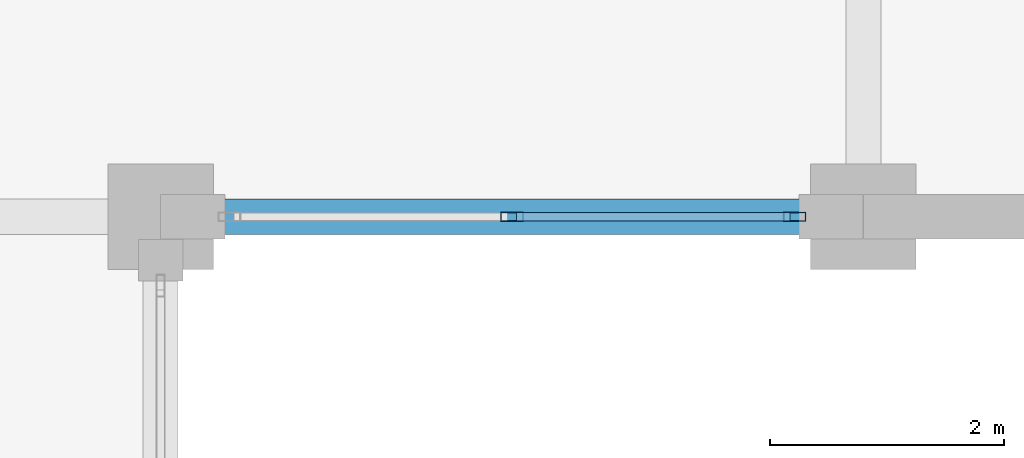
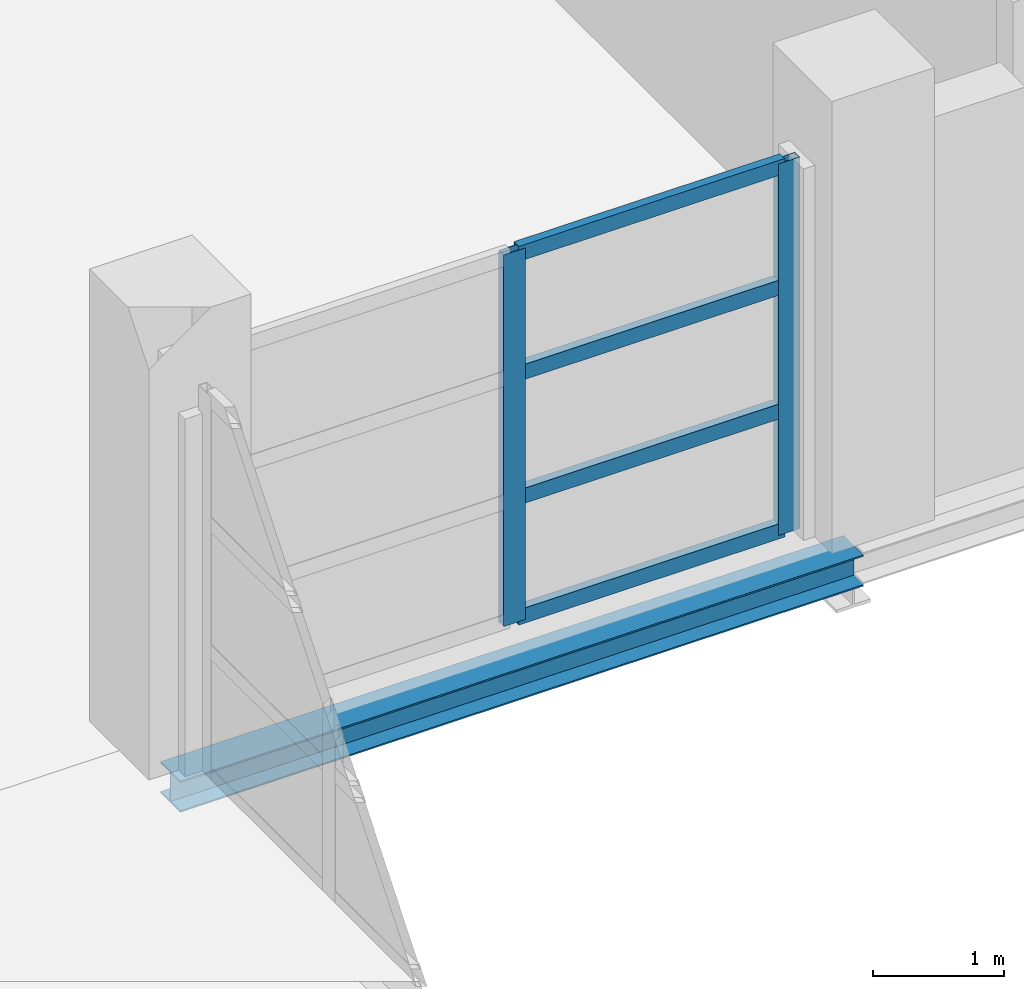
# One storey, part 58 of 158: 6 members, 1 beam, 1 element without a shape of its own.
"""IFC4 building model written with IfcOpenShell, lengths in metres."""

from ifc_helpers import new_model, si_unit, direction, frame, origin, origin_2d, place, context, subcontext, project, spatial, hollow_rectangle, i_section, extrude, material, layer, layer_set, material_profile, profile_set, type_object, element, aggregate, save


model = new_model("IFC4")

# Units and contexts
model_context = context("Model", 3, precision=1e-05, world=origin(), true_north=direction((0.0, 1.0)))
body_context = subcontext(model_context, "Body", "Model", "MODEL_VIEW")
ifc_project = project(units=[si_unit("LENGTHUNIT", "METRE"), si_unit("AREAUNIT", "SQUARE_METRE"), si_unit("VOLUMEUNIT", "CUBIC_METRE"), si_unit("PLANEANGLEUNIT", "RADIAN"), si_unit("MASSUNIT", "GRAM", prefix="KILO")], contexts=[model_context])

# Site, building, storey
site_placement = place(None, origin())
site = spatial("IfcSite", under=ifc_project, at=site_placement, CompositionType="ELEMENT")
building_placement = place(site_placement, origin())
building = spatial("IfcBuilding", under=site, at=building_placement, Name="Zilviju Railside Exhibition Hall", CompositionType="ELEMENT")
storey_placement = place(building_placement, frame((0.0, 0.0, 4.199951171875)))
storey = spatial("IfcBuildingStorey", under=building, at=storey_placement, Name="L02", CompositionType="ELEMENT", Elevation=4.199951171875)

# Beam
ifc_material_1 = material(Name="Steel S355J2", Category="steel")
ifc_material_profile_1 = material_profile(ifc_material_1, i_section(OverallWidth=0.300048828125, OverallDepth=0.2900390625, WebThickness=0.008544921875, FlangeThickness=0.013916015625, at=origin_2d()), Name="HEA 300")
ifc_profile_set_1 = profile_set([ifc_material_profile_1], Name="Steel S355J2")
beam_type = type_object("IfcBeamType", Name="BM-HEA300", PredefinedType="SPANDREL", material=ifc_profile_set_1)
beam_placement = place(storey_placement, frame((102.0, 84.0, -0.494873046875), z_axis=(1.0, 0.0, 0.0), x_axis=(0.0, 1.0, 0.0)))
element("IfcBeam", 1, at=beam_placement, inside=storey, type_object=beam_type, Name="Primary Girder L02 Y=84.0 (102.0..108.0)", PredefinedType="SPANDREL", context=body_context, shape_type="SweptSolid", body=[
    extrude(i_section(OverallWidth=0.300048828125, OverallDepth=0.2900390625, WebThickness=0.008544921875, FlangeThickness=0.013916015625, at=origin_2d()), origin(), (0.0, 0.0, 1.0), 6.0),
])

# Curtain wall, members
ifc_material_2 = material(Name="Thermally broken aluminium-steel triple-glazed curtain wall", Category="steel")
ifc_layer = layer(ifc_material_2, 0.179931640625)
ifc_layer_set = layer_set([ifc_layer], Name="Thermally broken aluminium-steel triple-glazed curtain wall")
curtain_wall_type = type_object("IfcCurtainWallType", Name="CW-BAY-05", PredefinedType="USERDEFINED", material=ifc_layer_set)
curtain_wall_placement = place(storey_placement, origin())
curtain_wall = element("IfcCurtainWall", 2, at=curtain_wall_placement, inside=storey, type_object=curtain_wall_type, Name="North Hall Garden Court Curtain Wall L02 (102..108)", ObjectType="GLAZED CURTAIN WALL", PredefinedType="USERDEFINED")
ifc_material_3 = material(Name="Thermally broken anodized aluminium mullion", Category="aluminium")
ifc_material_profile_2 = material_profile(ifc_material_3, hollow_rectangle(XDim=0.074951171875, YDim=0.18994140625, WallThickness=0.0048828125, at=origin_2d()), Name="MULLION 190x75x5")
ifc_profile_set_2 = profile_set([ifc_material_profile_2], Name="Thermally broken anodized aluminium mullion")
member_type_1 = type_object("IfcMemberType", Name="CWM-75x190", PredefinedType="MULLION", material=ifc_profile_set_2)
member_1_placement = place(storey_placement, frame((107.41259765625, 84.0, 0.0), z_axis=(0.0, 0.0, 1.0), x_axis=(0.0, -1.0, 0.0)))
member_1 = element("IfcMember", 3, at=member_1_placement, type_object=member_type_1, Name="CW-05 mullion 1", PredefinedType="MULLION", context=body_context, shape_type="SweptSolid", body=[
    extrude(hollow_rectangle(XDim=0.074951171875, YDim=0.18994140625, WallThickness=0.0048828125, at=origin_2d()), origin(), (0.0, 0.0, 1.0), 3.449951171875),
])
member_2_placement = place(storey_placement, frame((105.0, 84.0, 0.0), z_axis=(0.0, 0.0, 1.0), x_axis=(0.0, -1.0, 0.0)))
member_2 = element("IfcMember", 4, at=member_2_placement, type_object=member_type_1, Name="CW-05 mullion 2", PredefinedType="MULLION", context=body_context, shape_type="SweptSolid", body=[
    extrude(hollow_rectangle(XDim=0.074951171875, YDim=0.18994140625, WallThickness=0.0048828125, at=origin_2d()), origin(), (0.0, 0.0, 1.0), 3.449951171875),
])
ifc_material_4 = material(Name="Thermally broken anodized aluminium transom", Category="aluminium")
ifc_material_profile_3 = material_profile(ifc_material_4, hollow_rectangle(XDim=0.074951171875, YDim=0.139892578125, WallThickness=0.0048828125, at=origin_2d()), Name="TRANSOM 140x75x5")
ifc_profile_set_3 = profile_set([ifc_material_profile_3], Name="Thermally broken anodized aluminium transom")
member_type_2 = type_object("IfcMemberType", Name="CWT-75x140", PredefinedType="USERDEFINED", material=ifc_profile_set_3)
member_3_placement = place(storey_placement, frame((107.375, 84.0, 0.03759765625), z_axis=(-1.0, 0.0, 0.0), x_axis=(0.0, -1.0, 0.0)))
member_3 = element("IfcMember", 5, at=member_3_placement, type_object=member_type_2, Name="CW-05 transom 1.1", ObjectType="TRANSOM", PredefinedType="USERDEFINED", context=body_context, shape_type="SweptSolid", body=[
    extrude(hollow_rectangle(XDim=0.074951171875, YDim=0.139892578125, WallThickness=0.0048828125, at=origin_2d()), origin(), (0.0, 0.0, 1.0), 2.33740234375),
])
member_4_placement = place(storey_placement, frame((107.375, 84.0, 1.150146484375), z_axis=(-1.0, 0.0, 0.0), x_axis=(0.0, -1.0, 0.0)))
member_4 = element("IfcMember", 6, at=member_4_placement, type_object=member_type_2, Name="CW-05 transom 1.2", ObjectType="TRANSOM", PredefinedType="USERDEFINED", context=body_context, shape_type="SweptSolid", body=[
    extrude(hollow_rectangle(XDim=0.074951171875, YDim=0.139892578125, WallThickness=0.0048828125, at=origin_2d()), origin(), (0.0, 0.0, 1.0), 2.33740234375),
])
member_5_placement = place(storey_placement, frame((107.375, 84.0, 2.300048828125), z_axis=(-1.0, 0.0, 0.0), x_axis=(0.0, -1.0, 0.0)))
member_5 = element("IfcMember", 7, at=member_5_placement, type_object=member_type_2, Name="CW-05 transom 1.3", ObjectType="TRANSOM", PredefinedType="USERDEFINED", context=body_context, shape_type="SweptSolid", body=[
    extrude(hollow_rectangle(XDim=0.074951171875, YDim=0.139892578125, WallThickness=0.0048828125, at=origin_2d()), origin(), (0.0, 0.0, 1.0), 2.33740234375),
])
member_6_placement = place(storey_placement, frame((107.375, 84.0, 3.41259765625), z_axis=(-1.0, 0.0, 0.0), x_axis=(0.0, -1.0, 0.0)))
member_6 = element("IfcMember", 8, at=member_6_placement, type_object=member_type_2, Name="CW-05 transom 1.4", ObjectType="TRANSOM", PredefinedType="USERDEFINED", context=body_context, shape_type="SweptSolid", body=[
    extrude(hollow_rectangle(XDim=0.074951171875, YDim=0.139892578125, WallThickness=0.0048828125, at=origin_2d()), origin(), (0.0, 0.0, 1.0), 2.33740234375),
])
aggregate(curtain_wall, [member_1, member_2, member_3, member_4, member_5, member_6])

save(model, "model.ifc")
